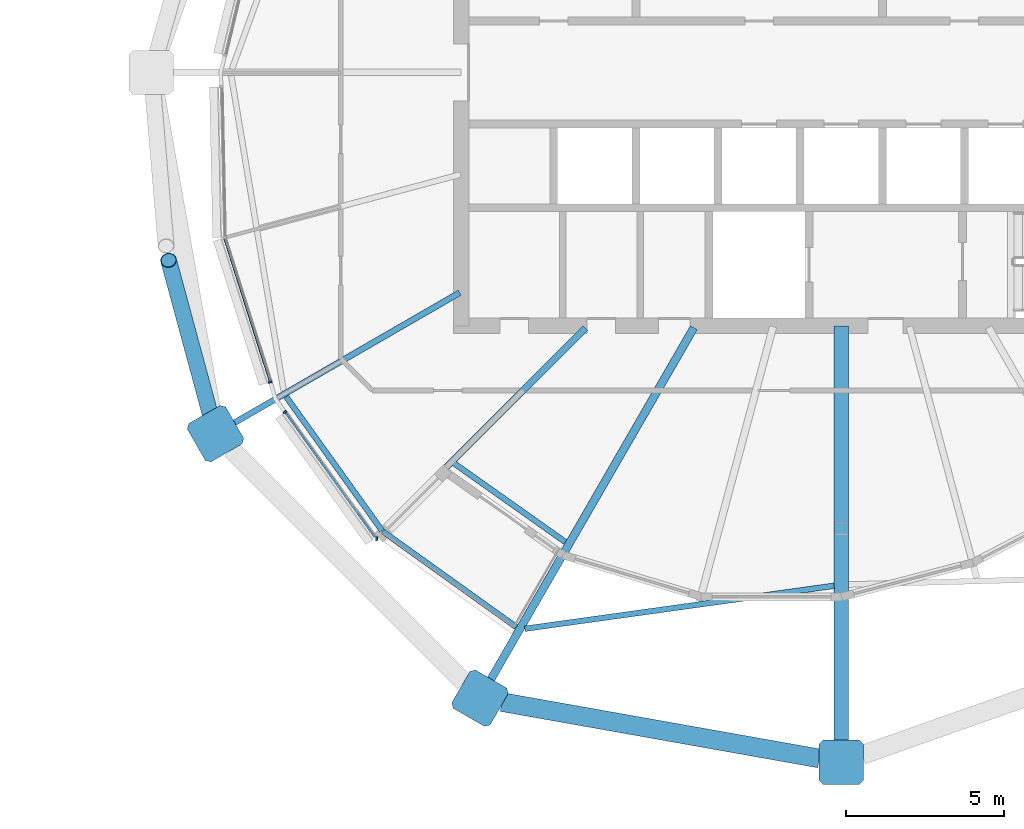
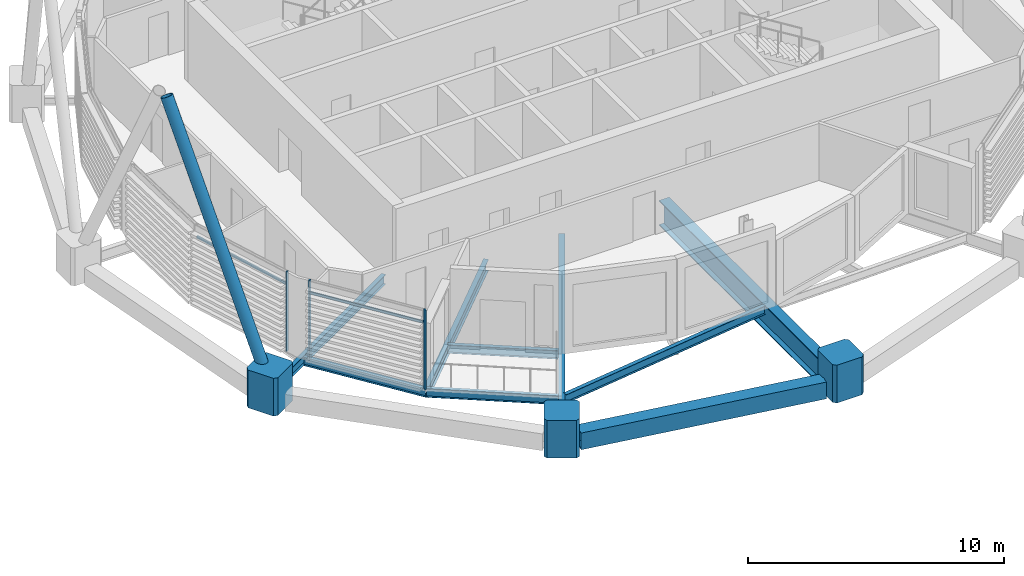
# One storey, part 11 of 34: 9 beams, 9 members, 1 element without a shape of its own.
"""IFC4 building model written with IfcOpenShell, lengths in metres."""

from ifc_helpers import new_model, si_unit, direction, frame, origin, origin_2d, place, context, subcontext, project, spatial, polyline, rectangle, hollow_rectangle, hollow_circle, i_section, outline, extrude, material, material_profile, profile_set, type_object, element, aggregate, save


model = new_model("IFC4")

# Units and contexts
model_context = context("Model", 3, precision=1e-05, world=origin(), true_north=direction((0.0, 1.0)))
body_context = subcontext(model_context, "Body", "Model", "MODEL_VIEW")
ifc_project = project(units=[si_unit("LENGTHUNIT", "METRE"), si_unit("AREAUNIT", "SQUARE_METRE"), si_unit("VOLUMEUNIT", "CUBIC_METRE"), si_unit("PLANEANGLEUNIT", "RADIAN"), si_unit("MASSUNIT", "GRAM", prefix="KILO")], contexts=[model_context])

# Site, building, storey
site_placement = place(None, origin())
site = spatial("IfcSite", under=ifc_project, at=site_placement, CompositionType="ELEMENT")
building_placement = place(site_placement, origin())
building = spatial("IfcBuilding", under=site, at=building_placement, Name="Rimbun Link Towers", CompositionType="ELEMENT")
storey_placement = place(building_placement, frame((0.0, 0.0, 221.89990234375)))
storey = spatial("IfcBuildingStorey", under=building, at=storey_placement, Name="L54", CompositionType="ELEMENT", Elevation=221.89990234375)

# Curtain wall, members
ifc_material_1 = material(Name="Aluminium 6063-T6 and low-iron glass", Category="aluminium")
curtain_wall_type = type_object("IfcCurtainWallType", Name="CW1-Z4 unitised vision wall (zone 4)", PredefinedType="NOTDEFINED", material=ifc_material_1)
curtain_wall_placement = place(storey_placement, origin())
curtain_wall = element("IfcCurtainWall", 1, at=curtain_wall_placement, inside=storey, type_object=curtain_wall_type, Name="CW1 L54 T2", PredefinedType="NOTDEFINED")
ifc_material_2 = material(Name="Aluminium 6063-T6", Category="aluminium")
ifc_material_profile_1 = material_profile(ifc_material_2, rectangle(XDim=0.1201171875, YDim=0.06005859375, at=origin_2d()), Name="MULLION 60X120")
ifc_profile_set_1 = profile_set([ifc_material_profile_1], Name="Aluminium 6063-T6")
member_type_1 = type_object("IfcMemberType", Name="CW1 mullion 60X120", PredefinedType="MULLION", material=ifc_profile_set_1)
member_1_placement = place(storey_placement, frame((13.713623046875, -9.778076171875, 0.0), z_axis=(0.0, 0.0, 1.0), x_axis=(-0.952973824415, -0.303052619159, 0.0)))
member_1 = element("IfcMember", 2, at=member_1_placement, type_object=member_type_1, Name="CW1 mullion", PredefinedType="MULLION", context=body_context, shape_type="SweptSolid", body=[
    extrude(rectangle(XDim=0.1201171875, YDim=0.06005859375, at=origin_2d()), origin(), (0.0, 0.0, 1.0), 3.800048828125),
])
member_2_placement = place(storey_placement, frame((17.077880859375, -14.72705078125, 0.0), z_axis=(0.0, 0.0, 1.0), x_axis=(-0.081394965181, -0.996681925011, 0.0)))
member_2 = element("IfcMember", 3, at=member_2_placement, type_object=member_type_1, Name="CW1 mullion", PredefinedType="MULLION", context=body_context, shape_type="SweptSolid", body=[
    extrude(rectangle(XDim=0.1201171875, YDim=0.06005859375, at=origin_2d()), origin(), (0.0, 0.0, 1.0), 3.800048828125),
])
member_3_placement = place(storey_placement, frame((14.18017578125, -10.725341796875, 0.0), z_axis=(0.0, 0.0, 1.0), x_axis=(-0.812465338349, -0.583009497334, 0.0)))
member_3 = element("IfcMember", 4, at=member_3_placement, type_object=member_type_1, Name="CW1 mullion", PredefinedType="MULLION", context=body_context, shape_type="SweptSolid", body=[
    extrude(rectangle(XDim=0.1201171875, YDim=0.06005859375, at=origin_2d()), origin(), (0.0, 0.0, 1.0), 3.800048828125),
])
ifc_material_3 = material(Name="Aluminium 6063-T6", Category="aluminium")
ifc_material_profile_2 = material_profile(ifc_material_3, rectangle(XDim=0.06005859375, YDim=0.1201171875, at=origin_2d()), Name="TRANSOM 60X120")
ifc_profile_set_2 = profile_set([ifc_material_profile_2], Name="Aluminium 6063-T6")
member_type_2 = type_object("IfcMemberType", Name="CW1 transom 60X120", PredefinedType="USERDEFINED", material=ifc_profile_set_2)
member_4_placement = place(storey_placement, frame((13.706298828125, -9.7490234375, 3.2001953125), z_axis=(-0.303052045595, 0.952974006813, 0.0), x_axis=(-0.952974006813, -0.303052045595, 0.0)))
member_4 = element("IfcMember", 5, at=member_4_placement, type_object=member_type_2, Name="CW1 transom", ObjectType="TRANSOM", PredefinedType="USERDEFINED", context=body_context, shape_type="SweptSolid", body=[
    extrude(rectangle(XDim=0.06005859375, YDim=0.1201171875, at=origin_2d()), origin(), (0.0, 0.0, 1.0), 4.71923828125),
])
member_5_placement = place(storey_placement, frame((17.01806640625, -14.6767578125, 3.2001953125), z_axis=(-0.583013681272, 0.812462336019, 0.0), x_axis=(-0.812462336019, -0.583013681272, 0.0)))
member_5 = element("IfcMember", 6, at=member_5_placement, type_object=member_type_2, Name="CW1 transom", ObjectType="TRANSOM", PredefinedType="USERDEFINED", context=body_context, shape_type="SweptSolid", body=[
    extrude(rectangle(XDim=0.06005859375, YDim=0.1201171875, at=origin_2d()), origin(), (0.0, 0.0, 1.0), 4.8349609375),
])
aggregate(curtain_wall, [member_1, member_2, member_3, member_4, member_5])

# Members
ifc_material_4 = material(Name="Steel S355J2H", Category="steel")
ifc_material_profile_3 = material_profile(ifc_material_4, hollow_circle(Radius=0.25390625, WallThickness=0.02001953125, at=origin_2d()), Name="Diagrid diagonal CHS 508x20")
ifc_profile_set_3 = profile_set([ifc_material_profile_3], Name="Steel S355J2H")
member_type_3 = type_object("IfcMemberType", Name="Diagrid diagonal CHS 508x20", PredefinedType="BRACE", material=ifc_profile_set_3)
member_6_placement = place(storey_placement, frame((11.9287109375, -11.18701171875, 0.444091796875), z_axis=(-0.120124292015, 0.444016503239, 0.887929895498), x_axis=(-0.965297745895, -0.26115179833, 0.0)))
element("IfcMember", 7, at=member_6_placement, inside=storey, type_object=member_type_3, Name="Diagrid diagonal T2 L54-L57 11a", PredefinedType="BRACE", context=body_context, shape_type="SweptSolid", body=[
    extrude(hollow_circle(Radius=0.25390625, WallThickness=0.02001953125, at=origin_2d()), origin(), (0.0, 0.0, 1.0), 11.838623046875),
])
ifc_material_5 = material(Name="Cast steel G20Mn5+QT, Rp0.2 300 MPa", Category="steel")
ifc_material_profile_4 = material_profile(ifc_material_5, outline(polyline([(0.699951171875, -0.570068359375), (0.699951171875, 0.570068359375), (0.570068359375, 0.699951171875), (-0.570068359375, 0.699951171875), (-0.699951171875, 0.570068359375), (-0.699951171875, -0.570068359375), (-0.570068359375, -0.699951171875), (0.570068359375, -0.699951171875), (0.699951171875, -0.570068359375)])), Name="NODE 1400x1400")
ifc_profile_set_4 = profile_set([ifc_material_profile_4], Name="Cast steel G20Mn5+QT, Rp0.2 300 MPa")
member_type_4 = type_object("IfcMemberType", Name="Diagrid node cast 1400", PredefinedType="USERDEFINED", material=ifc_profile_set_4)
for number, where, z_axis, x_axis, name in (
    (8, (11.989013671875, -11.4091796875, -0.89990234375), (0.0, 0.0, 1.0), (-0.866025403784, -0.5, 0.0), "Diagrid node L54 11"),
    (9, (20.3408203125, -19.760986328125, -0.89990234375), (0.0, 0.0, 1.0), (-0.5, -0.866025403784, 0.0), "Diagrid node L54 13"),
    (10, (31.75, -21.787353515625, -0.89990234375), (0.0, 0.0, 1.0), (0.0, -1.0, 0.0), "Diagrid node L54 15"),
):
    element("IfcMember", number, at=place(storey_placement, frame(where, z_axis=z_axis, x_axis=x_axis)), inside=storey, type_object=member_type_4, Name=name, ObjectType="Diagrid node", PredefinedType="USERDEFINED", context=body_context, shape_type="SweptSolid", body=[
        extrude(outline(polyline([(0.699951171875, -0.570068359375), (0.699951171875, 0.570068359375), (0.570068359375, 0.699951171875), (-0.570068359375, 0.699951171875), (-0.699951171875, 0.570068359375), (-0.699951171875, -0.570068359375), (-0.570068359375, -0.699951171875), (0.570068359375, -0.699951171875), (0.699951171875, -0.570068359375)])), origin(), (0.0, 0.0, 1.0), 1.800048828125),
    ])

# Beams
ifc_material_6 = material(Name="Steel S355J2", Category="steel")
ifc_material_profile_5 = material_profile(ifc_material_6, hollow_rectangle(XDim=0.60009765625, YDim=0.800048828125, WallThickness=0.0400390625, at=origin_2d()), Name="Exoskeleton ring girder BOX 600x800x40")
ifc_profile_set_5 = profile_set([ifc_material_profile_5], Name="Steel S355J2")
beam_type_1 = type_object("IfcBeamType", Name="Exoskeleton ring girder BOX 600x800x40", PredefinedType="BEAM", material=ifc_profile_set_5)
beam_1_placement = place(storey_placement, frame((21.030029296875, -19.883544921875, -0.559814453125), z_axis=(0.984596261996, -0.174843360939, 0.0), x_axis=(0.174843360939, 0.984596261996, 0.0)))
element("IfcBeam", 11, at=beam_1_placement, inside=storey, type_object=beam_type_1, Name="Exoskeleton ring girder L54 06", PredefinedType="BEAM", context=body_context, shape_type="SweptSolid", body=[
    extrude(hollow_rectangle(XDim=0.60009765625, YDim=0.800048828125, WallThickness=0.0400390625, at=origin_2d()), origin(), (0.0, 0.0, 1.0), 10.187744140625),
])
ifc_material_7 = material(Name="Steel S355J2", Category="steel")
ifc_material_profile_6 = material_profile(ifc_material_7, i_section(OverallWidth=0.449951171875, OverallDepth=1.199951171875, WebThickness=0.030029296875, FlangeThickness=0.044921875, at=origin_2d()), Name="PG 1200x450x30/45")
ifc_profile_set_6 = profile_set([ifc_material_profile_6], Name="Steel S355J2")
beam_type_2 = type_object("IfcBeamType", Name="PG 1200x450x30/45", PredefinedType="BEAM", material=ifc_profile_set_6)
beam_2_placement = place(storey_placement, frame((31.75, -8.0009765625, -0.739990234375), z_axis=(0.0, -1.0, 0.0), x_axis=(1.0, 0.0, 0.0)))
element("IfcBeam", 12, at=beam_2_placement, inside=storey, type_object=beam_type_2, Name="Radial beam T2 L54 15", PredefinedType="BEAM", context=body_context, shape_type="SweptSolid", body=[
    extrude(i_section(OverallWidth=0.449951171875, OverallDepth=1.199951171875, WebThickness=0.030029296875, FlangeThickness=0.044921875, at=origin_2d()), origin(), (0.0, 0.0, 1.0), 13.286376953125),
])
ifc_material_8 = material(Name="Steel S355J2", Category="steel")
ifc_material_profile_7 = material_profile(ifc_material_8, i_section(OverallWidth=0.177978515625, OverallDepth=0.406494140625, WebThickness=0.0078125, FlangeThickness=0.0126953125, at=origin_2d()), Name="UB 406x178x60")
ifc_profile_set_7 = profile_set([ifc_material_profile_7], Name="Steel S355J2")
beam_type_3 = type_object("IfcBeamType", Name="UB 406x178x60", PredefinedType="BEAM", material=ifc_profile_set_7)
beam_3_placement = place(storey_placement, frame((14.22021484375, -10.24169921875, -0.343017578125), z_axis=(0.582310886664, -0.812966193192, 0.0), x_axis=(0.812966193192, 0.582310886664, 0.0)))
element("IfcBeam", 13, at=beam_3_placement, inside=storey, type_object=beam_type_3, Name="Edge beam T2 L54 11", PredefinedType="BEAM", context=body_context, shape_type="SweptSolid", body=[
    extrude(i_section(OverallWidth=0.177978515625, OverallDepth=0.406494140625, WebThickness=0.0078125, FlangeThickness=0.0126953125, at=origin_2d()), origin(), (0.0, 0.0, 1.0), 5.207763671875),
])
beam_4_placement = place(storey_placement, frame((19.485595703125, -12.318359375, -0.343017578125), z_axis=(0.816484776789, -0.577366962401, 0.0), x_axis=(0.577366962401, 0.816484776789, 0.0)))
element("IfcBeam", 14, at=beam_4_placement, inside=storey, type_object=beam_type_3, Name="Edge beam T2 L54 12 recess", PredefinedType="BEAM", context=body_context, shape_type="SweptSolid", body=[
    extrude(i_section(OverallWidth=0.177978515625, OverallDepth=0.406494140625, WebThickness=0.0078125, FlangeThickness=0.0126953125, at=origin_2d()), origin(), (0.0, 0.0, 1.0), 4.344482421875),
])
beam_5_placement = place(storey_placement, frame((17.274658203125, -14.497314453125, -0.343017578125), z_axis=(0.812990184335, -0.58227739109, 0.0), x_axis=(0.58227739109, 0.812990184335, 0.0)))
element("IfcBeam", 15, at=beam_5_placement, inside=storey, type_object=beam_type_3, Name="Edge beam T2 L54 12 terrace", PredefinedType="BEAM", context=body_context, shape_type="SweptSolid", body=[
    extrude(i_section(OverallWidth=0.177978515625, OverallDepth=0.406494140625, WebThickness=0.0078125, FlangeThickness=0.0126953125, at=origin_2d()), origin(), (0.0, 0.0, 1.0), 5.17578125),
])
beam_6_placement = place(storey_placement, frame((21.754150390625, -17.568603515625, -0.343017578125), z_axis=(0.990475121282, 0.137691808474, 0.0), x_axis=(-0.137691808474, 0.990475121282, 0.0)))
element("IfcBeam", 16, at=beam_6_placement, inside=storey, type_object=beam_type_3, Name="Edge beam T2 L54 13-15", PredefinedType="BEAM", context=body_context, shape_type="SweptSolid", body=[
    extrude(i_section(OverallWidth=0.177978515625, OverallDepth=0.406494140625, WebThickness=0.0078125, FlangeThickness=0.0126953125, at=origin_2d()), origin(), (0.0, 0.0, 1.0), 9.86376953125),
])
ifc_material_9 = material(Name="Steel S355J2", Category="steel")
ifc_material_profile_8 = material_profile(ifc_material_9, i_section(OverallWidth=0.18994140625, OverallDepth=0.453369140625, WebThickness=0.008544921875, FlangeThickness=0.0126953125, at=origin_2d()), Name="UB 457x191x67")
ifc_profile_set_8 = profile_set([ifc_material_profile_8], Name="Steel S355J2")
beam_type_4 = type_object("IfcBeamType", Name="UB 457x191x67", PredefinedType="BEAM", material=ifc_profile_set_8)
beam_7_placement = place(storey_placement, frame((19.70166015625, -6.9560546875, -0.36669921875), z_axis=(-0.866018239375, -0.500012408917, 0.0), x_axis=(0.500012408917, -0.866018239375, 0.0)))
element("IfcBeam", 17, at=beam_7_placement, inside=storey, type_object=beam_type_4, Name="Radial beam T2 L54 11", PredefinedType="BEAM", context=body_context, shape_type="SweptSolid", body=[
    extrude(i_section(OverallWidth=0.18994140625, OverallDepth=0.453369140625, WebThickness=0.008544921875, FlangeThickness=0.0126953125, at=origin_2d()), origin(), (0.0, 0.0, 1.0), 8.406005859375),
])
ifc_material_10 = material(Name="Steel S355J2", Category="steel")
ifc_material_profile_9 = material_profile(ifc_material_10, i_section(OverallWidth=0.209228515625, OverallDepth=0.533203125, WebThickness=0.010009765625, FlangeThickness=0.015625, at=origin_2d()), Name="UB 533x210x92")
ifc_profile_set_9 = profile_set([ifc_material_profile_9], Name="Steel S355J2")
beam_type_5 = type_object("IfcBeamType", Name="UB 533x210x92", PredefinedType="BEAM", material=ifc_profile_set_9)
beam_8_placement = place(storey_placement, frame((23.67529296875, -8.07470703125, -0.406494140625), z_axis=(-0.707106781187, -0.707106781187, 0.0), x_axis=(0.707106781187, -0.707106781187, 0.0)))
element("IfcBeam", 18, at=beam_8_placement, inside=storey, type_object=beam_type_5, Name="Radial beam T2 L54 12", PredefinedType="BEAM", context=body_context, shape_type="SweptSolid", body=[
    extrude(i_section(OverallWidth=0.209228515625, OverallDepth=0.533203125, WebThickness=0.010009765625, FlangeThickness=0.015625, at=origin_2d()), origin(), (0.0, 0.0, 1.0), 8.97998046875),
])
ifc_material_11 = material(Name="Steel S355J2", Category="steel")
ifc_material_profile_10 = material_profile(ifc_material_11, i_section(OverallWidth=0.253662109375, OverallDepth=0.68359375, WebThickness=0.012451171875, FlangeThickness=0.01904296875, at=origin_2d()), Name="UB 686x254x140")
ifc_profile_set_10 = profile_set([ifc_material_profile_10], Name="Steel S355J2")
beam_type_6 = type_object("IfcBeamType", Name="UB 686x254x140", PredefinedType="BEAM", material=ifc_profile_set_10)
beam_9_placement = place(storey_placement, frame((27.093994140625, -8.064208984375, -0.481689453125), z_axis=(-0.499997052475, -0.866027105532, 0.0), x_axis=(0.866027105532, -0.499997052475, 0.0)))
element("IfcBeam", 19, at=beam_9_placement, inside=storey, type_object=beam_type_6, Name="Radial beam T2 L54 13", PredefinedType="BEAM", context=body_context, shape_type="SweptSolid", body=[
    extrude(i_section(OverallWidth=0.253662109375, OverallDepth=0.68359375, WebThickness=0.012451171875, FlangeThickness=0.01904296875, at=origin_2d()), origin(), (0.0, 0.0, 1.0), 13.00634765625),
])

save(model, "model.ifc")
